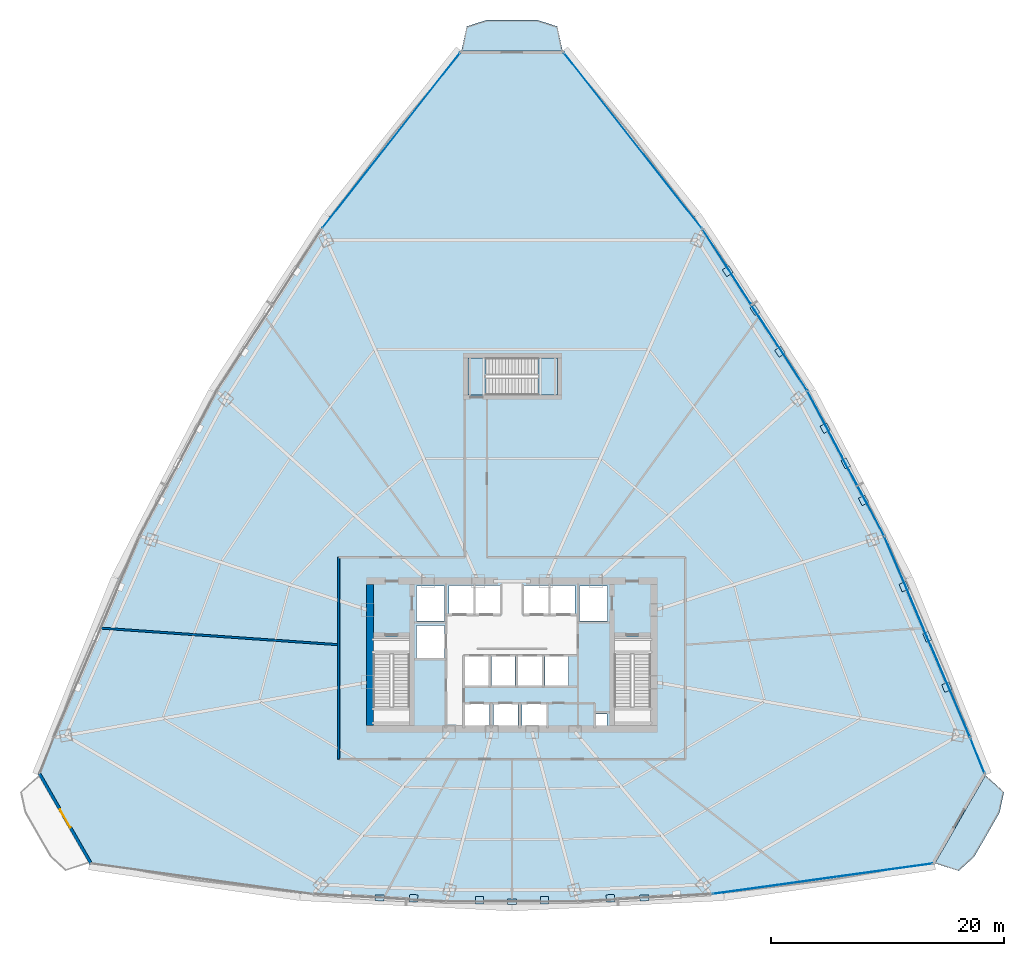
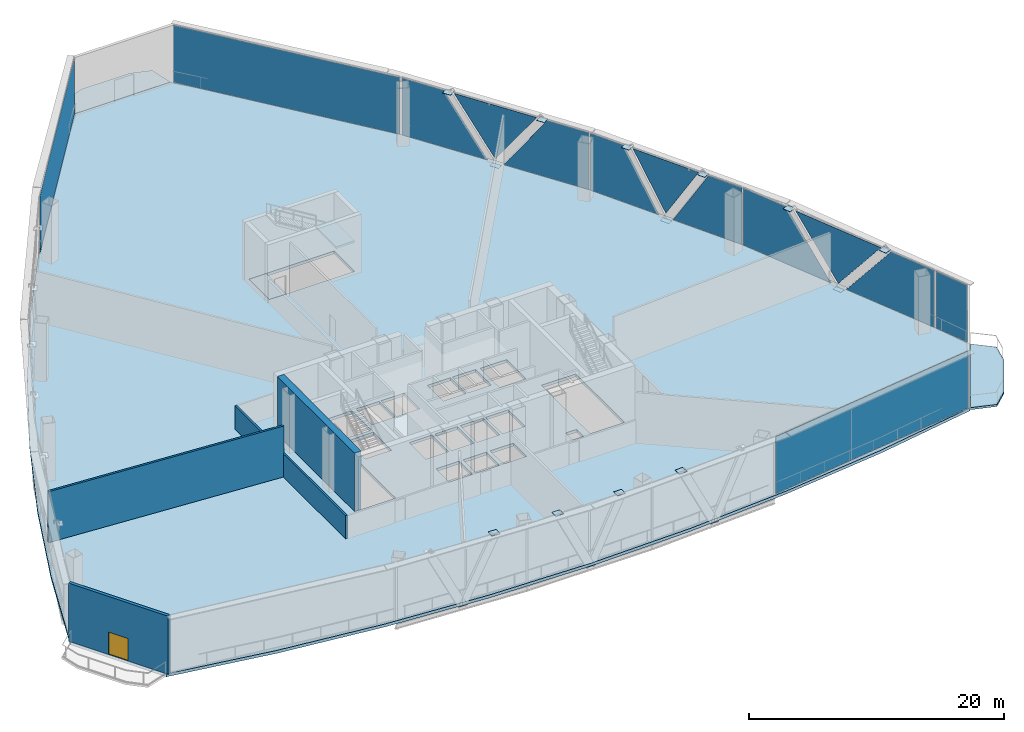
# One storey, part 27 of 36: 29 plates, 5 slabs, 4 walls, 1 door, 1 opening, 8 elements without a shape of their own.
"""IFC4 building model written with IfcOpenShell, lengths in metres."""

from ifc_helpers import new_model, si_unit, direction, frame, frame_2d, origin, origin_with_axes, origin_2d, place, context, subcontext, project, spatial, polyline, rectangle, outline, extrude, source, transform, mapped, material, layer, layer_set, type_object, element, fill, aggregate, save


model = new_model("IFC4")

# Units and contexts
model_context = context("Model", 3, precision=1e-05, world=origin(), true_north=direction((0.0, 1.0)))
body_context = subcontext(model_context, "Body", "Model", "MODEL_VIEW")
ifc_project = project(units=[si_unit("LENGTHUNIT", "METRE"), si_unit("AREAUNIT", "SQUARE_METRE"), si_unit("VOLUMEUNIT", "CUBIC_METRE"), si_unit("PLANEANGLEUNIT", "RADIAN"), si_unit("MASSUNIT", "GRAM", prefix="KILO"), si_unit("THERMODYNAMICTEMPERATUREUNIT", "KELVIN"), si_unit("POWERUNIT", "WATT")], contexts=[model_context])

# Site, building, storey
site_placement = place(None, origin())
site = spatial("IfcSite", under=ifc_project, at=site_placement, CompositionType="ELEMENT")
building_placement = place(site_placement, origin())
building = spatial("IfcBuilding", under=site, at=building_placement, Name="Yunzhuo Pagoda Commons", CompositionType="ELEMENT")
storey_placement = place(building_placement, frame((0.0, 0.0, 119.179931640625)))
storey = spatial("IfcBuildingStorey", under=building, at=storey_placement, Name="L30", CompositionType="ELEMENT", Elevation=119.179931640625)

# Curtain wall, plates
ifc_material_1 = material(Name="Anodized aluminium 6063-T6", Category="aluminium")
ifc_layer_1 = layer(ifc_material_1, 0.1650390625)
ifc_layer_set_1 = layer_set([ifc_layer_1], Name="Anodized aluminium 6063-T6")
curtain_wall_type = type_object("IfcCurtainWallType", Name="CW-LOW Low-Zone Ribbon Curtain Wall", PredefinedType="NOTDEFINED", material=ifc_layer_set_1)
curtain_wall_1_placement = place(storey_placement, origin())
curtain_wall_1 = element("IfcCurtainWall", 1, at=curtain_wall_1_placement, inside=storey, type_object=curtain_wall_type, Name="L30 curtain wall CW-L30-F2B2", PredefinedType="NOTDEFINED")
ifc_material_2 = material(Name="Tempered low-e double glazing", Category="glass")
ifc_layer_2 = layer(ifc_material_2, 0.028076171875)
ifc_layer_set_2 = layer_set([ifc_layer_2], Name="Tempered low-e double glazing")
plate_type_1 = type_object("IfcPlateType", Name="CW-LOW-P Low-E Double Glazing 28", PredefinedType="CURTAIN_PANEL", material=ifc_layer_set_2)
plate_1_placement = place(storey_placement, frame((85.661376953125, 30.763671875, 2.78515625), z_axis=(0.919788328925, 0.392414869716, 0.0), x_axis=(-0.392414869716, 0.919788328925, 0.0)))
plate_1 = element("IfcPlate", 2, at=plate_1_placement, type_object=plate_type_1, Name="CW panel 1.1 lite 1", PredefinedType="CURTAIN_PANEL", context=body_context, shape_type="SweptSolid", body=[
    extrude(outline(polyline([(-4.29931640625, -2.72509765625), (4.29931640625, -2.72509765625), (-0.09130859375, 2.72509765625), (-4.29931640625, 2.72509765625), (-4.29931640625, -2.72509765625)])), origin(), (0.0, 0.0, 1.0), 0.028076171875),
])
plate_2_placement = place(storey_placement, frame((83.6474609375, 35.4072265625, 2.91796875), z_axis=(0.919788328925, 0.392414869716, 0.0), x_axis=(-0.392414869716, 0.919788328925, 0.0)))
plate_2 = element("IfcPlate", 3, at=plate_2_placement, type_object=plate_type_1, Name="CW panel 1.1 lite 2", PredefinedType="CURTAIN_PANEL", context=body_context, shape_type="SweptSolid", body=[
    extrude(outline(polyline([(-4.176513671875, 2.59228515625), (0.0, -2.592041015625), (4.176513671875, 2.59228515625), (-4.176513671875, 2.59228515625)])), origin(), (0.0, 0.0, 1.0), 0.028076171875),
])
plate_3_placement = place(storey_placement, frame((81.68896484375, 40.073974609375, 2.78515625), z_axis=(0.919788328925, 0.392414869716, 0.0), x_axis=(-0.392414869716, 0.919788328925, 0.0)))
plate_3 = element("IfcPlate", 4, at=plate_3_placement, type_object=plate_type_1, Name="CW panel 1.1 lite 3", PredefinedType="CURTAIN_PANEL", context=body_context, shape_type="SweptSolid", body=[
    extrude(outline(polyline([(-4.29931640625, -2.72509765625), (4.29931640625, -2.72509765625), (4.29931640625, 2.72509765625), (0.09130859375, 2.72509765625), (-4.29931640625, -2.72509765625)])), origin(), (0.0, 0.0, 1.0), 0.028076171875),
])
aggregate(curtain_wall_1, [plate_1, plate_2, plate_3])

curtain_wall_2_placement = place(storey_placement, origin())
curtain_wall_2 = element("IfcCurtainWall", 5, at=curtain_wall_2_placement, inside=storey, type_object=curtain_wall_type, Name="L30 curtain wall CW-L30-F2B3", PredefinedType="NOTDEFINED")
plate_4_placement = place(storey_placement, frame((78.462158203125, 46.94482421875, 2.78515625), z_axis=(0.88351216431, 0.468408214613, 0.0), x_axis=(-0.468408214613, 0.88351216431, 0.0)))
plate_4 = element("IfcPlate", 6, at=plate_4_placement, type_object=plate_type_1, Name="CW panel 1.1 lite 1", PredefinedType="CURTAIN_PANEL", context=body_context, shape_type="SweptSolid", body=[
    extrude(outline(polyline([(-3.169189453125, -2.72509765625), (3.169189453125, -2.72509765625), (-0.11572265625, 2.72509765625), (-3.169189453125, 2.72509765625), (-3.169189453125, -2.72509765625)])), origin(), (0.0, 0.0, 1.0), 0.028076171875),
])
plate_5_placement = place(storey_placement, frame((76.647216796875, 50.3037109375, 2.983154296875), z_axis=(0.88351216431, 0.468408214613, 0.0), x_axis=(-0.468408214613, 0.88351216431, 0.0)))
plate_5 = element("IfcPlate", 7, at=plate_5_placement, type_object=plate_type_1, Name="CW panel 1.1 lite 2", PredefinedType="CURTAIN_PANEL", context=body_context, shape_type="SweptSolid", body=[
    extrude(outline(polyline([(-3.046142578125, 2.52685546875), (0.0, -2.52685546875), (3.046142578125, 2.52685546875), (-3.046142578125, 2.52685546875)])), origin(), (0.0, 0.0, 1.0), 0.028076171875),
])
plate_6_placement = place(storey_placement, frame((74.885498046875, 53.69091796875, 2.78515625), z_axis=(0.88351216431, 0.468408214613, 0.0), x_axis=(-0.468408214613, 0.88351216431, 0.0)))
plate_6 = element("IfcPlate", 8, at=plate_6_placement, type_object=plate_type_1, Name="CW panel 1.1 lite 3", PredefinedType="CURTAIN_PANEL", context=body_context, shape_type="SweptSolid", body=[
    extrude(outline(polyline([(-3.169189453125, -2.72509765625), (3.169189453125, -2.72509765625), (3.169189453125, 2.72509765625), (0.11572265625, 2.72509765625), (-3.169189453125, -2.72509765625)])), origin(), (0.0, 0.0, 1.0), 0.028076171875),
])
aggregate(curtain_wall_2, [plate_4, plate_5, plate_6])

curtain_wall_3_placement = place(storey_placement, origin())
curtain_wall_3 = element("IfcCurtainWall", 9, at=curtain_wall_3_placement, inside=storey, type_object=curtain_wall_type, Name="L30 curtain wall CW-L30-F2B4", PredefinedType="NOTDEFINED")
plate_7_placement = place(storey_placement, frame((71.2919921875, 59.755615234375, 2.78515625), z_axis=(0.839174657882, 0.543862017031, 0.0), x_axis=(-0.543862017031, 0.839174657882, 0.0)))
plate_7 = element("IfcPlate", 10, at=plate_7_placement, type_object=plate_type_1, Name="CW panel 1.1 lite 1", PredefinedType="CURTAIN_PANEL", context=body_context, shape_type="SweptSolid", body=[
    extrude(outline(polyline([(-3.758056640625, -2.72509765625), (3.758056640625, -2.72509765625), (-0.1025390625, 2.72509765625), (-3.758056640625, 2.72509765625), (-3.758056640625, -2.72509765625)])), origin(), (0.0, 0.0, 1.0), 0.028076171875),
])
plate_8_placement = place(storey_placement, frame((68.8388671875, 63.48583984375, 2.94384765625), z_axis=(0.839174657882, 0.543862017031, 0.0), x_axis=(-0.543862017031, 0.839174657882, 0.0)))
plate_8 = element("IfcPlate", 11, at=plate_8_placement, type_object=plate_type_1, Name="CW panel 1.1 lite 2", PredefinedType="CURTAIN_PANEL", context=body_context, shape_type="SweptSolid", body=[
    extrude(outline(polyline([(-3.635498046875, 2.56640625), (0.0, -2.56640625), (3.635498046875, 2.56640625), (-3.635498046875, 2.56640625)])), origin(), (0.0, 0.0, 1.0), 0.028076171875),
])
plate_9_placement = place(storey_placement, frame((66.43603515625, 67.24853515625, 2.78515625), z_axis=(0.839174657882, 0.543862017031, 0.0), x_axis=(-0.543862017031, 0.839174657882, 0.0)))
plate_9 = element("IfcPlate", 12, at=plate_9_placement, type_object=plate_type_1, Name="CW panel 1.1 lite 3", PredefinedType="CURTAIN_PANEL", context=body_context, shape_type="SweptSolid", body=[
    extrude(outline(polyline([(-3.758056640625, -2.72509765625), (3.758056640625, -2.72509765625), (3.758056640625, 2.72509765625), (0.1025390625, 2.72509765625), (-3.758056640625, -2.72509765625)])), origin(), (0.0, 0.0, 1.0), 0.028076171875),
])
aggregate(curtain_wall_3, [plate_7, plate_8, plate_9])

# Slabs
ifc_material_3 = material(Name="Concrete C40", Category="concrete")
ifc_layer_3 = layer(ifc_material_3, 0.199951171875)
ifc_layer_set_3 = layer_set([ifc_layer_3], Name="Concrete C40")
slab_type_1 = type_object("IfcSlabType", Name="SL-BAL Vertex Balcony Deck Slab 200", PredefinedType="FLOOR", material=ifc_layer_set_3)
slab_1_placement = place(storey_placement, frame((0.0, 0.0, -0.199951171875)))
element("IfcSlab", 13, at=slab_1_placement, inside=storey, type_object=slab_type_1, Name="L30 corner balcony V2", PredefinedType="FLOOR", context=body_context, shape_type="SweptSolid", body=[
    extrude(outline(polyline([(84.353515625, 15.954833984375), (88.69482421875, 23.516357421875), (90.28759765625, 22.0830078125), (89.9033203125, 20.30908203125), (87.732666015625, 16.5283203125), (86.394287109375, 15.302001953125), (84.353515625, 15.954833984375)])), origin(), (0.0, 0.0, 1.0), 0.199951171875),
])
slab_2_placement = place(storey_placement, frame((0.0, 0.0, -0.199951171875)))
element("IfcSlab", 14, at=slab_2_placement, inside=storey, type_object=slab_type_1, Name="L30 corner balcony V3", PredefinedType="FLOOR", context=body_context, shape_type="SweptSolid", body=[
    extrude(outline(polyline([(52.341552734375, 85.793701171875), (43.658447265625, 85.793701171875), (44.1083984375, 87.888671875), (45.8291015625, 88.438720703125), (50.1708984375, 88.438720703125), (51.8916015625, 87.888671875), (52.341552734375, 85.793701171875)])), origin(), (0.0, 0.0, 1.0), 0.199951171875),
])

# Stair, slabs
stair_type = type_object("IfcStairType", Name="ST-C3 North Tower Smokeproof Stair ST3", PredefinedType="HALF_TURN_STAIR", material=ifc_material_3)
stair_placement = place(storey_placement, origin())
stair = element("IfcStair", 15, at=stair_placement, inside=storey, type_object=stair_type, Name="L30 North tower smokeproof stair ST3", PredefinedType="HALF_TURN_STAIR")
ifc_layer_4 = layer(ifc_material_3, 0.2041015625)
ifc_layer_set_4 = layer_set([ifc_layer_4], Name="Concrete C40")
slab_type_2 = type_object("IfcSlabType", Name="SL-LND5 North Landing Slab 204", PredefinedType="LANDING", material=ifc_layer_set_4)
slab_3_placement = place(storey_placement, frame((0.0, 0.0, 2.72509765625)))
slab_3 = element("IfcSlab", 16, at=slab_3_placement, type_object=slab_type_2, Name="ST3 landing 1", PredefinedType="LANDING", context=body_context, shape_type="SweptSolid", body=[
    extrude(outline(polyline([(50.22998046875, 56.199951171875), (51.89990234375, 56.199951171875), (51.89990234375, 59.39990234375), (50.22998046875, 59.39990234375), (50.22998046875, 56.199951171875)])), origin(), (0.0, 0.0, 1.0), 0.199951171875),
])
slab_4_placement = place(storey_placement, frame((0.0, 0.0, -0.199951171875)))
slab_4 = element("IfcSlab", 17, at=slab_4_placement, type_object=slab_type_2, Name="ST3 floor landing L30", PredefinedType="LANDING", context=body_context, shape_type="SweptSolid", body=[
    extrude(outline(polyline([(44.199951171875, 56.199951171875), (45.75, 56.199951171875), (45.75, 59.39990234375), (44.199951171875, 59.39990234375), (44.199951171875, 56.199951171875)])), origin(), (0.0, 0.0, 1.0), 0.199951171875),
])
aggregate(stair, [slab_3, slab_4])

# Slab
ifc_layer_5 = layer(ifc_material_3, 0.280029296875)
ifc_layer_set_5 = layer_set([ifc_layer_5], Name="Concrete C40")
slab_type_3 = type_object("IfcSlabType", Name="SL-POD Podium & Refuge Floor Slab 280", PredefinedType="FLOOR", material=ifc_layer_set_5)
slab_5_placement = place(storey_placement, frame((0.0, 0.0, -0.280029296875)))
element("IfcSlab", 18, at=slab_5_placement, inside=storey, type_object=slab_type_3, Name="L30 structural floor slab", PredefinedType="FLOOR", context=body_context, shape_type="SweptSolid", body=[
    extrude(outline(polyline([(10.516357421875, 32.0830078125), (14.105224609375, 40.423828125), (18.075927734375, 48.5419921875), (22.4287109375, 56.437255859375), (27.163330078125, 64.109619140625), (32.27978515625, 71.558837890625), (37.778076171875, 78.78515625), (43.658447265625, 85.788818359375), (52.341552734375, 85.788818359375), (58.221923828125, 78.78515625), (63.72021484375, 71.558837890625), (68.836669921875, 64.109619140625), (73.5712890625, 56.437255859375), (77.924072265625, 48.5419921875), (81.894775390625, 40.423828125), (85.483642578125, 32.0830078125), (88.690673828125, 23.518798828125), (84.34912109375, 15.95751953125), (75.26171875, 14.40966796875), (66.174560546875, 13.30419921875), (57.08740234375, 12.640869140625), (48.0, 12.419921875), (38.91259765625, 12.640869140625), (29.825439453125, 13.30419921875), (20.73828125, 14.40966796875), (11.65087890625, 15.95751953125), (7.309326171875, 23.518798828125), (10.516357421875, 32.0830078125)]), holes=[polyline([(46.050048828125, 27.60009765625), (46.050048828125, 29.64990234375), (43.949951171875, 29.64990234375), (43.949951171875, 27.60009765625), (46.050048828125, 27.60009765625)]), polyline([(48.5, 27.60009765625), (48.5, 29.64990234375), (46.39990234375, 29.64990234375), (46.39990234375, 27.60009765625), (48.5, 27.60009765625)]), polyline([(36.10009765625, 27.800048828125), (39.199951171875, 27.800048828125), (39.199951171875, 35.39990234375), (36.10009765625, 35.39990234375), (36.10009765625, 27.800048828125)]), polyline([(45.969970703125, 31.199951171875), (45.969970703125, 33.800048828125), (43.929931640625, 33.800048828125), (43.929931640625, 31.199951171875), (45.969970703125, 31.199951171875)]), polyline([(48.27001953125, 31.199951171875), (48.27001953125, 33.800048828125), (46.22998046875, 33.800048828125), (46.22998046875, 31.199951171875), (48.27001953125, 31.199951171875)]), polyline([(42.199951171875, 33.60009765625), (42.199951171875, 36.39990234375), (39.800048828125, 36.39990234375), (39.800048828125, 33.60009765625), (42.199951171875, 33.60009765625)]), polyline([(42.199951171875, 36.800048828125), (42.199951171875, 39.800048828125), (39.800048828125, 39.800048828125), (39.800048828125, 36.800048828125), (42.199951171875, 36.800048828125)]), polyline([(42.60009765625, 37.39990234375), (44.699951171875, 37.39990234375), (44.699951171875, 39.85009765625), (42.60009765625, 39.85009765625), (42.60009765625, 37.39990234375)]), polyline([(44.85009765625, 37.39990234375), (46.949951171875, 37.39990234375), (46.949951171875, 39.85009765625), (44.85009765625, 39.85009765625), (44.85009765625, 37.39990234375)]), polyline([(56.179931640625, 27.699951171875), (56.179931640625, 28.800048828125), (55.179931640625, 28.800048828125), (55.179931640625, 27.699951171875), (56.179931640625, 27.699951171875)]), polyline([(50.949951171875, 27.60009765625), (50.949951171875, 29.64990234375), (48.85009765625, 29.64990234375), (48.85009765625, 27.60009765625), (50.949951171875, 27.60009765625)]), polyline([(56.800048828125, 27.800048828125), (59.89990234375, 27.800048828125), (59.89990234375, 35.39990234375), (56.800048828125, 35.39990234375), (56.800048828125, 27.800048828125)]), polyline([(50.570068359375, 31.199951171875), (50.570068359375, 33.800048828125), (48.530029296875, 33.800048828125), (48.530029296875, 31.199951171875), (50.570068359375, 31.199951171875)]), polyline([(52.8701171875, 31.199951171875), (52.8701171875, 33.800048828125), (50.830078125, 33.800048828125), (50.830078125, 31.199951171875), (52.8701171875, 31.199951171875)]), polyline([(56.199951171875, 36.800048828125), (56.199951171875, 39.800048828125), (53.800048828125, 39.800048828125), (53.800048828125, 36.800048828125), (56.199951171875, 36.800048828125)]), polyline([(51.14990234375, 37.39990234375), (51.14990234375, 39.85009765625), (49.050048828125, 39.85009765625), (49.050048828125, 37.39990234375), (51.14990234375, 37.39990234375)]), polyline([(51.300048828125, 37.39990234375), (53.39990234375, 37.39990234375), (53.39990234375, 39.85009765625), (51.300048828125, 39.85009765625), (51.300048828125, 37.39990234375)]), polyline([(44.199951171875, 56.199951171875), (51.89990234375, 56.199951171875), (51.89990234375, 59.39990234375), (44.199951171875, 59.39990234375), (44.199951171875, 56.199951171875)])]), origin(), (0.0, 0.0, 1.0), 0.280029296875),
])

# Plates
ifc_material_4 = material(Name="Structural steel Q355B", Category="steel")
ifc_layer_6 = layer(ifc_material_4, 0.028076171875)
ifc_layer_set_6 = layer_set([ifc_layer_6], Name="Structural steel Q355B")
plate_type_2 = type_object("IfcPlateType", Name="SP-ND1 Lattice Node Cap Plate 800x500x28", PredefinedType="USERDEFINED", material=ifc_layer_set_6)
shared_shape_1 = source(origin(), body_context, "Body", "SweptSolid", [
    extrude(rectangle(XDim=0.800048828125, YDim=0.5, at=origin_2d()), origin(), (0.0, 0.0, 1.0), 0.028076171875),
])
for number, where, z_axis, x_axis, name in (
    (19, (36.625, 12.98095703125, -0.2939453125), (0.0, 0.0, 1.0), (0.998380767924, -0.056884463958, 0.0), "L30 diamond node plate F1.1A"),
    (20, (48.0, 12.654296875, -0.2939453125), (0.0, 0.0, 1.0), (1.0, 0.0, 0.0), "L30 diamond node plate F1.2A"),
    (21, (59.375, 12.98095703125, -0.2939453125), (0.0, 0.0, 1.0), (0.998380767924, 0.056884463958, 0.0), "L30 diamond node plate F1.3A"),
    (22, (83.68798828125, 35.424560546875, -0.2939453125), (0.0, 0.0, 1.0), (-0.392417384678, 0.919787255947, 0.0), "L30 diamond node plate F2.1A"),
    (23, (76.686279296875, 50.324462890625, -0.2939453125), (0.0, 0.0, 1.0), (-0.468407908969, 0.883512326352, 0.0), "L30 diamond node plate F2.2A"),
    (24, (68.875732421875, 63.509521484375, -0.2939453125), (0.0, 0.0, 1.0), (-0.543863011284, 0.839174013514, 0.0), "L30 diamond node plate F2.3A"),
):
    element("IfcPlate", number, at=place(storey_placement, frame(where, z_axis=z_axis, x_axis=x_axis)), inside=storey, type_object=plate_type_2, Name=name, ObjectType="STIFFENER_PLATE", PredefinedType="USERDEFINED", context=body_context, shape_type="MappedRepresentation", body=[
        mapped(shared_shape_1, transform((0.0, 0.0, 0.0), scale=1.0)),
    ])
shared_shape_2 = source(origin(), body_context, "Body", "SweptSolid", [
    extrude(rectangle(XDim=0.699951171875, YDim=0.631591796875, at=origin_2d()), origin(), (0.0, 0.0, 1.0), 0.035888671875),
])
for number, where, z_axis, x_axis, name in (
    (25, (39.5458984375, 12.947998046875, 5.5322265625), (0.0, 0.0, 1.0), (0.998380767924, -0.056884463958, 0.0), "L30 setback lattice tie plate F1.1R"),
    (26, (56.4541015625, 12.947998046875, 5.5322265625), (0.0, 0.0, 1.0), (0.998380767924, 0.056884463958, 0.0), "L30 setback lattice tie plate F1.3L"),
):
    element("IfcPlate", number, at=place(storey_placement, frame(where, z_axis=z_axis, x_axis=x_axis)), inside=storey, type_object=plate_type_2, Name=name, ObjectType="STIFFENER_PLATE", PredefinedType="USERDEFINED", context=body_context, shape_type="MappedRepresentation", body=[
        mapped(shared_shape_2, transform((0.0, 0.0, 0.0), scale=1.0)),
    ])
shared_shape_3 = source(origin(), body_context, "Body", "SweptSolid", [
    extrude(rectangle(XDim=0.699951171875, YDim=0.615478515625, at=origin_2d()), origin(), (0.0, 0.0, 1.0), 0.035888671875),
])
for number, where, z_axis, x_axis, name in (
    (27, (45.197998046875, 12.785888671875, 5.5322265625), (0.0, 0.0, 1.0), (1.0, 0.0, 0.0), "L30 setback lattice tie plate F1.2L"),
    (28, (50.802001953125, 12.785888671875, 5.5322265625), (0.0, 0.0, 1.0), (1.0, 0.0, 0.0), "L30 setback lattice tie plate F1.2R"),
):
    element("IfcPlate", number, at=place(storey_placement, frame(where, z_axis=z_axis, x_axis=x_axis)), inside=storey, type_object=plate_type_2, Name=name, ObjectType="STIFFENER_PLATE", PredefinedType="USERDEFINED", context=body_context, shape_type="MappedRepresentation", body=[
        mapped(shared_shape_3, transform((0.0, 0.0, 0.0), scale=1.0)),
    ])
shared_shape_4 = source(origin(), body_context, "Body", "SweptSolid", [
    extrude(rectangle(XDim=0.699951171875, YDim=0.672119140625, at=origin_2d()), origin(), (0.0, 0.0, 1.0), 0.035888671875),
])
plate_10_placement = place(storey_placement, frame((85.376708984375, 31.101318359375, 5.5322265625), z_axis=(0.0, 0.0, 1.0), x_axis=(-0.392417384678, 0.919787255947, 0.0)))
element("IfcPlate", 29, at=plate_10_placement, inside=storey, type_object=plate_type_2, Name="L30 setback lattice tie plate F2.1L", ObjectType="STIFFENER_PLATE", PredefinedType="USERDEFINED", context=body_context, shape_type="MappedRepresentation", body=[
    mapped(shared_shape_4, transform((0.0, 0.0, 0.0), scale=1.0)),
])
shared_shape_5 = source(origin(), body_context, "Body", "SweptSolid", [
    extrude(rectangle(XDim=0.699951171875, YDim=0.627685546875, at=origin_2d()), origin(), (0.0, 0.0, 1.0), 0.035888671875),
])
plate_11_placement = place(storey_placement, frame((78.210693359375, 47.15283203125, 5.5322265625), z_axis=(0.0, 0.0, 1.0), x_axis=(-0.468407908969, 0.883512326352, 0.0)))
element("IfcPlate", 30, at=plate_11_placement, inside=storey, type_object=plate_type_2, Name="L30 setback lattice tie plate F2.2L", ObjectType="STIFFENER_PLATE", PredefinedType="USERDEFINED", context=body_context, shape_type="MappedRepresentation", body=[
    mapped(shared_shape_5, transform((0.0, 0.0, 0.0), scale=1.0)),
])
shared_shape_6 = source(origin(), body_context, "Body", "SweptSolid", [
    extrude(rectangle(XDim=0.699951171875, YDim=0.627197265625, at=origin_2d()), origin(), (0.0, 0.0, 1.0), 0.035888671875),
])
plate_12_placement = place(storey_placement, frame((74.922607421875, 53.358154296875, 5.5322265625), z_axis=(0.0, 0.0, 1.0), x_axis=(-0.468407908969, 0.883512326352, 0.0)))
element("IfcPlate", 31, at=plate_12_placement, inside=storey, type_object=plate_type_2, Name="L30 setback lattice tie plate F2.2R", ObjectType="STIFFENER_PLATE", PredefinedType="USERDEFINED", context=body_context, shape_type="MappedRepresentation", body=[
    mapped(shared_shape_6, transform((0.0, 0.0, 0.0), scale=1.0)),
])
shared_shape_7 = source(origin(), body_context, "Body", "SweptSolid", [
    extrude(rectangle(XDim=0.699951171875, YDim=0.63818359375, at=origin_2d()), origin(), (0.0, 0.0, 1.0), 0.035888671875),
])
plate_13_placement = place(storey_placement, frame((71.0341796875, 59.924072265625, 5.5322265625), z_axis=(0.0, 0.0, 1.0), x_axis=(-0.543863011284, 0.839174013514, 0.0)))
element("IfcPlate", 32, at=plate_13_placement, inside=storey, type_object=plate_type_2, Name="L30 setback lattice tie plate F2.3L", ObjectType="STIFFENER_PLATE", PredefinedType="USERDEFINED", context=body_context, shape_type="MappedRepresentation", body=[
    mapped(shared_shape_7, transform((0.0, 0.0, 0.0), scale=1.0)),
])
shared_shape_8 = source(origin(), body_context, "Body", "SweptSolid", [
    extrude(rectangle(XDim=0.699951171875, YDim=0.662353515625, at=origin_2d()), origin(), (0.0, 0.0, 1.0), 0.035888671875),
])
plate_14_placement = place(storey_placement, frame((66.5458984375, 66.8505859375, 5.5322265625), z_axis=(0.0, 0.0, 1.0), x_axis=(-0.543863011284, 0.839174013514, 0.0)))
element("IfcPlate", 33, at=plate_14_placement, inside=storey, type_object=plate_type_2, Name="L30 setback lattice tie plate F2.3R", ObjectType="STIFFENER_PLATE", PredefinedType="USERDEFINED", context=body_context, shape_type="MappedRepresentation", body=[
    mapped(shared_shape_8, transform((0.0, 0.0, 0.0), scale=1.0)),
])
shared_shape_9 = source(origin(), body_context, "Body", "SweptSolid", [
    extrude(rectangle(XDim=0.699951171875, YDim=0.640869140625, at=origin_2d()), origin(), (0.0, 0.0, 1.0), 0.035888671875),
])
plate_15_placement = place(storey_placement, frame((81.695556640625, 39.73388671875, 5.5322265625), z_axis=(0.0, 0.0, 1.0), x_axis=(-0.392417384678, 0.919787255947, 0.0)))
element("IfcPlate", 34, at=plate_15_placement, inside=storey, type_object=plate_type_2, Name="L30 setback lattice tie plate F2.1R", ObjectType="STIFFENER_PLATE", PredefinedType="USERDEFINED", context=body_context, shape_type="MappedRepresentation", body=[
    mapped(shared_shape_9, transform((0.0, 0.0, 0.0), scale=1.0)),
])

# Curtain wall, plate
curtain_wall_4_placement = place(storey_placement, origin())
curtain_wall_4 = element("IfcCurtainWall", 35, at=curtain_wall_4_placement, inside=storey, type_object=curtain_wall_type, Name="L30 curtain wall CW-L30-F1B5", PredefinedType="NOTDEFINED")
shared_shape_10 = source(origin(), body_context, "Body", "SweptSolid", [
    extrude(rectangle(XDim=19.0537109375, YDim=0.028076171875, at=origin_2d()), origin(), (0.0, 0.0, 1.0), 5.449951171875),
])
plate_16_placement = place(storey_placement, frame((74.687255859375, 14.62890625, 0.06005859375), z_axis=(0.0, 0.0, 1.0), x_axis=(0.990618404067, 0.13665715321, 0.0)))
plate_16 = element("IfcPlate", 36, at=plate_16_placement, type_object=plate_type_1, Name="CW panel 1.1", PredefinedType="CURTAIN_PANEL", context=body_context, shape_type="MappedRepresentation", body=[
    mapped(shared_shape_10, transform((0.0, 0.0, 0.0), scale=1.0)),
])
aggregate(curtain_wall_4, [plate_16])

curtain_wall_5_placement = place(storey_placement, origin())
curtain_wall_5 = element("IfcCurtainWall", 37, at=curtain_wall_5_placement, inside=storey, type_object=curtain_wall_type, Name="L30 curtain wall CW-L30-F2B1", PredefinedType="NOTDEFINED")
shared_shape_11 = source(origin(), body_context, "Body", "SweptSolid", [
    extrude(rectangle(XDim=3.123046875, YDim=0.028076171875, at=origin_2d()), origin(), (0.0, 0.0, 1.0), 5.449951171875),
])
plate_17_placement = place(storey_placement, frame((88.02001953125, 25.17578125, 0.06005859375), z_axis=(0.0, 0.0, 1.0), x_axis=(-0.372106062932, 0.928190216459, 0.0)))
plate_17 = element("IfcPlate", 38, at=plate_17_placement, type_object=plate_type_1, Name="CW panel 1.1", PredefinedType="CURTAIN_PANEL", context=body_context, shape_type="MappedRepresentation", body=[
    mapped(shared_shape_11, transform((0.0, 0.0, 0.0), scale=1.0)),
])
aggregate(curtain_wall_5, [plate_17])

curtain_wall_6_placement = place(storey_placement, origin())
curtain_wall_6 = element("IfcCurtainWall", 39, at=curtain_wall_6_placement, inside=storey, type_object=curtain_wall_type, Name="L30 curtain wall CW-L30-F2B5", PredefinedType="NOTDEFINED")
shared_shape_12 = source(origin(), body_context, "Body", "SweptSolid", [
    extrude(rectangle(XDim=19.114501953125, YDim=0.028076171875, at=origin_2d()), origin(), (0.0, 0.0, 1.0), 5.449951171875),
])
plate_18_placement = place(storey_placement, frame((58.37939453125, 78.091064453125, 0.06005859375), z_axis=(0.0, 0.0, 1.0), x_axis=(-0.617612694186, 0.786482396484, 0.0)))
plate_18 = element("IfcPlate", 40, at=plate_18_placement, type_object=plate_type_1, Name="CW panel 1.1", PredefinedType="CURTAIN_PANEL", context=body_context, shape_type="MappedRepresentation", body=[
    mapped(shared_shape_12, transform((0.0, 0.0, 0.0), scale=1.0)),
])
aggregate(curtain_wall_6, [plate_18])

curtain_wall_7_placement = place(storey_placement, origin())
curtain_wall_7 = element("IfcCurtainWall", 41, at=curtain_wall_7_placement, inside=storey, type_object=curtain_wall_type, Name="L30 curtain wall CW-L30-F3B1", PredefinedType="NOTDEFINED")
plate_19_placement = place(storey_placement, frame((37.62060546875, 78.091064453125, 0.06005859375), z_axis=(0.0, 0.0, 1.0), x_axis=(-0.617612694186, -0.786482396484, 0.0)))
plate_19 = element("IfcPlate", 42, at=plate_19_placement, type_object=plate_type_1, Name="CW panel 1.1", PredefinedType="CURTAIN_PANEL", context=body_context, shape_type="MappedRepresentation", body=[
    mapped(shared_shape_12, transform((0.0, 0.0, 0.0), scale=1.0)),
])
aggregate(curtain_wall_7, [plate_19])

# Wall, opening, door
ifc_material_5 = material(Name="Precast concrete C40", Category="concrete")
ifc_layer_7 = layer(ifc_material_5, 0.260009765625)
ifc_layer_set_7 = layer_set([ifc_layer_7], Name="Precast concrete C40")
wall_type_1 = type_object("IfcWallType", Name="W-BAL1 Corner Balcony Threshold Wall 260", PredefinedType="STANDARD", material=ifc_layer_set_7)
wall_1_placement = place(storey_placement, frame((7.347412109375, 23.713623046875, 0.0), z_axis=(0.0, 0.0, 1.0), x_axis=(0.497936512869, -0.867213485338, 0.0)))
wall_1 = element("IfcWall", 43, at=wall_1_placement, inside=storey, type_object=wall_type_1, Name="L30 corner balcony wall V1", PredefinedType="STANDARD", context=body_context, shape_type="SweptSolid", body=[
    extrude(rectangle(XDim=9.01904296875, YDim=0.260009765625, at=frame_2d((4.509521484375, 0.0))), origin(), (0.0, 0.0, 1.0), 5.570068359375),
])
opening_placement = place(wall_1_placement, frame((3.609619140625, 0.0, 0.0)))
opening = element("IfcOpeningElement", 44, at=opening_placement, cuts=wall_1, Name="Opening D-BAL1", PredefinedType="OPENING", context=body_context, shape_type="SweptSolid", body=[
    extrude(rectangle(XDim=1.800048828125, YDim=2.14990234375, at=frame_2d((0.89990234375, 1.074951171875))), frame((0.0, 0.14013671875, 0.0), z_axis=(0.0, -1.0, 0.0), x_axis=(1.0, 0.0, 0.0)), (0.0, 0.0, 1.0), 0.280029296875),
])
ifc_material_6 = material(Name="Anodized aluminium frame and tempered glazed leaf", Category="aluminium")
door_type = type_object("IfcDoorType", Name="D-BAL1 Corner Balcony Sliding Glazed Door 1800x2150", OperationType="DOUBLE_DOOR_SLIDING", PredefinedType="DOOR", material=ifc_material_6)
shared_shape_13 = source(origin(), body_context, "Body", "SweptSolid", [
    extrude(rectangle(XDim=1.800048828125, YDim=2.14990234375, at=frame_2d((0.89990234375, 1.074951171875))), frame((0.0, 0.02490234375, 0.0), z_axis=(0.0, -1.0, 0.0), x_axis=(1.0, 0.0, 0.0)), (0.0, 0.0, 1.0), 0.050048828125),
])
door_placement = place(opening_placement, origin_with_axes())
door = element("IfcDoor", 45, at=door_placement, inside=storey, type_object=door_type, Name="L30 corner balcony sliding door V1", OperationType="DOUBLE_DOOR_SLIDING", OverallHeight=2.14990234375, OverallWidth=1.800048828125, PredefinedType="DOOR", context=body_context, shape_type="MappedRepresentation", body=[
    mapped(shared_shape_13, transform((0.0, 0.0, 0.0), scale=1.0)),
])
fill(opening, door)

# Walls
ifc_material_7 = material(Name="Concrete C60", Category="concrete")
ifc_layer_8 = layer(ifc_material_7, 0.60009765625)
ifc_layer_set_8 = layer_set([ifc_layer_8], Name="Concrete C60")
wall_type_2 = type_object("IfcWallType", Name="W-C02 Mid Core Shear Wall 600", PredefinedType="SHEAR", material=ifc_layer_set_8)
wall_2_placement = place(storey_placement, frame((35.800048828125, 27.800048828125, 0.0), z_axis=(0.0, 0.0, 1.0), x_axis=(0.0, 1.0, 0.0)))
element("IfcWall", 46, at=wall_2_placement, inside=storey, type_object=wall_type_2, Name="L30 core shear wall W", PredefinedType="SHEAR", context=body_context, shape_type="SweptSolid", body=[
    extrude(rectangle(XDim=12.099853515625, YDim=0.60009765625, at=frame_2d((6.0498046875, 0.0))), origin(), (0.0, 0.0, 1.0), 5.570068359375),
])
ifc_material_8 = material(Name="Gypsum plasterboard on acoustic stud")
ifc_layer_9 = layer(ifc_material_8, 0.159912109375)
ifc_layer_set_9 = layer_set([ifc_layer_9], Name="Gypsum plasterboard on acoustic stud")
wall_type_3 = type_object("IfcWallType", Name="W-COR1 Tower Rated Corridor Wall 160", PredefinedType="PARTITIONING", material=ifc_layer_set_9)
wall_3_placement = place(storey_placement, frame((33.10009765625, 24.89990234375, 0.0), z_axis=(0.0, 0.0, 1.0), x_axis=(0.0, 1.0, 0.0)))
element("IfcWall", 47, at=wall_3_placement, inside=storey, type_object=wall_type_3, Name="L30 interior wall IW-L30-SCW05", PredefinedType="PARTITIONING", context=body_context, shape_type="SweptSolid", body=[
    extrude(rectangle(XDim=17.35009765625, YDim=0.159912109375, at=frame_2d((8.675048828125, 0.0))), origin(), (0.0, 0.0, 1.0), 2.219970703125),
])
ifc_layer_10 = layer(ifc_material_8, 0.179931640625)
ifc_layer_set_10 = layer_set([ifc_layer_10], Name="Gypsum plasterboard on acoustic stud")
wall_type_4 = type_object("IfcWallType", Name="W-PRT2 Acoustic Unit Demising Wall 180", PredefinedType="PARTITIONING", material=ifc_layer_set_10)
wall_4_placement = place(storey_placement, frame((33.10009765625, 34.741943359375, 0.0), z_axis=(0.0, 0.0, 1.0), x_axis=(-0.99756459993, 0.069748612653, 0.0)))
element("IfcWall", 48, at=wall_4_placement, inside=storey, type_object=wall_type_4, Name="L30 interior wall IW-L30-SRAD4", PredefinedType="PARTITIONING", context=body_context, shape_type="SweptSolid", body=[
    extrude(rectangle(XDim=20.518798828125, YDim=0.179931640625, at=frame_2d((10.25927734375, 0.0))), origin(), (0.0, 0.0, 1.0), 4.8701171875),
])

save(model, "model.ifc")
